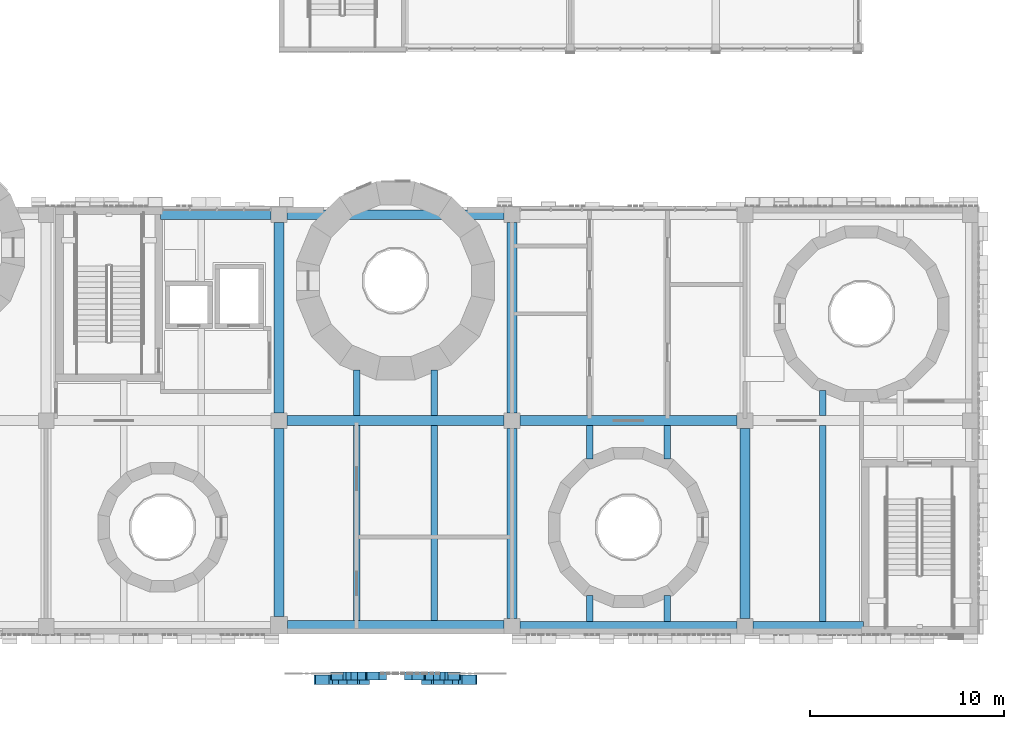
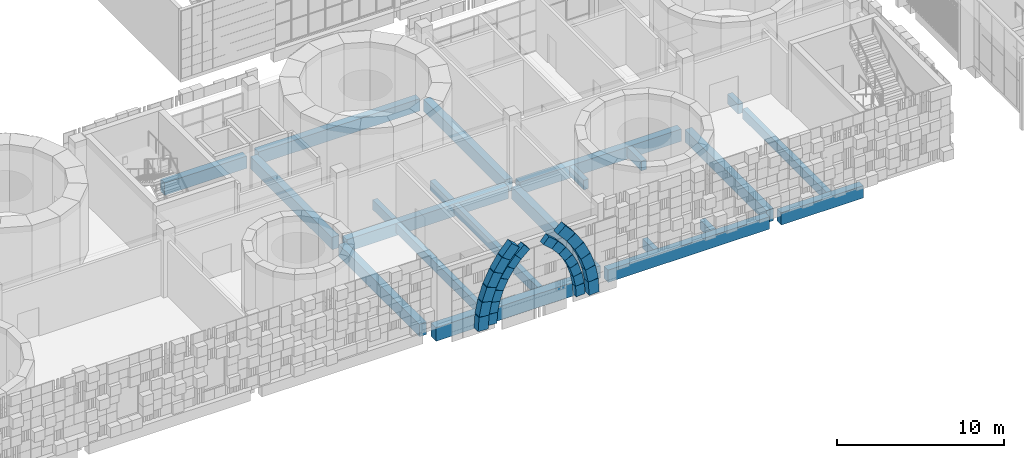
# One storey, part 4 of 125: 26 members, 22 beams.
"""IFC4 building model written with IfcOpenShell, lengths in metres."""

from ifc_helpers import new_model, si_unit, direction, frame, origin, origin_2d, place, context, subcontext, project, spatial, rectangle, extrude, material, material_profile, profile_set, type_object, element, save


model = new_model("IFC4")

# Units and contexts
model_context = context("Model", 3, precision=1e-05, world=origin(), true_north=direction((0.0, 1.0)))
body_context = subcontext(model_context, "Body", "Model", "MODEL_VIEW")
ifc_project = project(units=[si_unit("LENGTHUNIT", "METRE"), si_unit("AREAUNIT", "SQUARE_METRE"), si_unit("VOLUMEUNIT", "CUBIC_METRE"), si_unit("PLANEANGLEUNIT", "RADIAN"), si_unit("MASSUNIT", "GRAM", prefix="KILO")], contexts=[model_context])

# Site, building, storey
site_placement = place(None, origin())
site = spatial("IfcSite", under=ifc_project, at=site_placement, CompositionType="ELEMENT")
building_placement = place(site_placement, origin())
building = spatial("IfcBuilding", under=site, at=building_placement, Name="Sun Court Science Centre", CompositionType="ELEMENT")
storey_placement = place(building_placement, frame((0.0, 0.0, 6.0)))
storey = spatial("IfcBuildingStorey", under=building, at=storey_placement, Name="L01", CompositionType="ELEMENT", Elevation=6.0)

# Members
ifc_material_1 = material(Name="Concrete C30/37", Category="concrete")
ifc_material_profile_1 = material_profile(ifc_material_1, rectangle(XDim=0.39990234375, YDim=0.60009765625, at=origin_2d()), Name="RC 400x600")
ifc_profile_set_1 = profile_set([ifc_material_profile_1], Name="Concrete C30/37")
member_type_1 = type_object("IfcMemberType", Name="Iwan inner arch rib RC 400x600", PredefinedType="MEMBER", material=ifc_profile_set_1)
member_1_placement = place(storey_placement, frame((38.949951171875, 3.85009765625, 0.550048828125), z_axis=(0.065483191019, 0.0, 0.997853672486), x_axis=(0.0, 1.0, 0.0)))
element("IfcMember", 1, at=member_1_placement, inside=storey, type_object=member_type_1, Name="Iwan inner arch rib west", PredefinedType="MEMBER", context=body_context, shape_type="SweptSolid", body=[
    extrude(rectangle(XDim=0.39990234375, YDim=0.60009765625, at=origin_2d()), origin(), (0.0, 0.0, 1.0), 0.7978515625),
])
member_2_placement = place(storey_placement, frame((39.002197265625, 3.85009765625, 1.34619140625), z_axis=(0.19517476307, 0.0, 0.980768480254), x_axis=(0.0, 1.0, 0.0)))
element("IfcMember", 2, at=member_2_placement, inside=storey, type_object=member_type_1, Name="Iwan inner arch rib west", PredefinedType="MEMBER", context=body_context, shape_type="SweptSolid", body=[
    extrude(rectangle(XDim=0.39990234375, YDim=0.60009765625, at=origin_2d()), origin(), (0.0, 0.0, 1.0), 0.798095703125),
])
member_3_placement = place(storey_placement, frame((39.157958984375, 3.85009765625, 2.12890625), z_axis=(0.321364960579, 0.0, 0.946955417172), x_axis=(0.0, 1.0, 0.0)))
element("IfcMember", 3, at=member_3_placement, inside=storey, type_object=member_type_1, Name="Iwan inner arch rib west", PredefinedType="MEMBER", context=body_context, shape_type="SweptSolid", body=[
    extrude(rectangle(XDim=0.39990234375, YDim=0.60009765625, at=origin_2d()), origin(), (0.0, 0.0, 1.0), 0.797607421875),
])
member_4_placement = place(storey_placement, frame((39.414306640625, 3.85009765625, 2.88427734375), z_axis=(0.442312707184, 0.0, 0.896860897277), x_axis=(0.0, 1.0, 0.0)))
element("IfcMember", 4, at=member_4_placement, inside=storey, type_object=member_type_1, Name="Iwan inner arch rib west", PredefinedType="MEMBER", context=body_context, shape_type="SweptSolid", body=[
    extrude(rectangle(XDim=0.39990234375, YDim=0.60009765625, at=origin_2d()), origin(), (0.0, 0.0, 1.0), 0.798095703125),
])
member_5_placement = place(storey_placement, frame((39.767333984375, 3.85009765625, 3.60009765625), z_axis=(0.555476845122, 0.0, 0.831532004516), x_axis=(0.0, 1.0, 0.0)))
element("IfcMember", 5, at=member_5_placement, inside=storey, type_object=member_type_1, Name="Iwan inner arch rib west", PredefinedType="MEMBER", context=body_context, shape_type="SweptSolid", body=[
    extrude(rectangle(XDim=0.39990234375, YDim=0.60009765625, at=origin_2d()), origin(), (0.0, 0.0, 1.0), 0.797607421875),
])
member_6_placement = place(storey_placement, frame((40.21044921875, 3.85009765625, 4.263427734375), z_axis=(0.659392310917, 0.0, 0.751799029198), x_axis=(0.0, 1.0, 0.0)))
element("IfcMember", 6, at=member_6_placement, inside=storey, type_object=member_type_1, Name="Iwan inner arch rib west", PredefinedType="MEMBER", context=body_context, shape_type="SweptSolid", body=[
    extrude(rectangle(XDim=0.39990234375, YDim=0.60009765625, at=origin_2d()), origin(), (0.0, 0.0, 1.0), 0.7978515625),
])
member_7_placement = place(storey_placement, frame((40.736572265625, 3.85009765625, 4.86328125), z_axis=(0.751932023954, 0.0, 0.659240647527), x_axis=(0.0, 1.0, 0.0)))
element("IfcMember", 7, at=member_7_placement, inside=storey, type_object=member_type_1, Name="Iwan inner arch rib west", PredefinedType="MEMBER", context=body_context, shape_type="SweptSolid", body=[
    extrude(rectangle(XDim=0.39990234375, YDim=0.60009765625, at=origin_2d()), origin(), (0.0, 0.0, 1.0), 0.798095703125),
])
member_8_placement = place(storey_placement, frame((45.050048828125, 3.85009765625, 0.550048828125), z_axis=(-0.065483191019, 0.0, 0.997853672486), x_axis=(0.0, -1.0, 0.0)))
element("IfcMember", 8, at=member_8_placement, inside=storey, type_object=member_type_1, Name="Iwan inner arch rib east", PredefinedType="MEMBER", context=body_context, shape_type="SweptSolid", body=[
    extrude(rectangle(XDim=0.39990234375, YDim=0.60009765625, at=origin_2d()), origin(), (0.0, 0.0, 1.0), 0.7978515625),
])
member_9_placement = place(storey_placement, frame((44.997802734375, 3.85009765625, 1.34619140625), z_axis=(-0.19517476307, 0.0, 0.980768480254), x_axis=(0.0, -1.0, 0.0)))
element("IfcMember", 9, at=member_9_placement, inside=storey, type_object=member_type_1, Name="Iwan inner arch rib east", PredefinedType="MEMBER", context=body_context, shape_type="SweptSolid", body=[
    extrude(rectangle(XDim=0.39990234375, YDim=0.60009765625, at=origin_2d()), origin(), (0.0, 0.0, 1.0), 0.798095703125),
])
member_10_placement = place(storey_placement, frame((44.842041015625, 3.85009765625, 2.12890625), z_axis=(-0.321364960579, 0.0, 0.946955417172), x_axis=(0.0, -1.0, 0.0)))
element("IfcMember", 10, at=member_10_placement, inside=storey, type_object=member_type_1, Name="Iwan inner arch rib east", PredefinedType="MEMBER", context=body_context, shape_type="SweptSolid", body=[
    extrude(rectangle(XDim=0.39990234375, YDim=0.60009765625, at=origin_2d()), origin(), (0.0, 0.0, 1.0), 0.797607421875),
])
member_11_placement = place(storey_placement, frame((44.585693359375, 3.85009765625, 2.88427734375), z_axis=(-0.442312707184, 0.0, 0.896860897277), x_axis=(0.0, -1.0, 0.0)))
element("IfcMember", 11, at=member_11_placement, inside=storey, type_object=member_type_1, Name="Iwan inner arch rib east", PredefinedType="MEMBER", context=body_context, shape_type="SweptSolid", body=[
    extrude(rectangle(XDim=0.39990234375, YDim=0.60009765625, at=origin_2d()), origin(), (0.0, 0.0, 1.0), 0.798095703125),
])
member_12_placement = place(storey_placement, frame((44.232666015625, 3.85009765625, 3.60009765625), z_axis=(-0.555476845122, 0.0, 0.831532004516), x_axis=(0.0, -1.0, 0.0)))
element("IfcMember", 12, at=member_12_placement, inside=storey, type_object=member_type_1, Name="Iwan inner arch rib east", PredefinedType="MEMBER", context=body_context, shape_type="SweptSolid", body=[
    extrude(rectangle(XDim=0.39990234375, YDim=0.60009765625, at=origin_2d()), origin(), (0.0, 0.0, 1.0), 0.797607421875),
])
member_13_placement = place(storey_placement, frame((43.78955078125, 3.85009765625, 4.263427734375), z_axis=(-0.659392310917, 0.0, 0.751799029198), x_axis=(0.0, -1.0, 0.0)))
element("IfcMember", 13, at=member_13_placement, inside=storey, type_object=member_type_1, Name="Iwan inner arch rib east", PredefinedType="MEMBER", context=body_context, shape_type="SweptSolid", body=[
    extrude(rectangle(XDim=0.39990234375, YDim=0.60009765625, at=origin_2d()), origin(), (0.0, 0.0, 1.0), 0.7978515625),
])
member_14_placement = place(storey_placement, frame((43.263427734375, 3.85009765625, 4.86328125), z_axis=(-0.751932023954, 0.0, 0.659240647527), x_axis=(0.0, -1.0, 0.0)))
element("IfcMember", 14, at=member_14_placement, inside=storey, type_object=member_type_1, Name="Iwan inner arch rib east", PredefinedType="MEMBER", context=body_context, shape_type="SweptSolid", body=[
    extrude(rectangle(XDim=0.39990234375, YDim=0.60009765625, at=origin_2d()), origin(), (0.0, 0.0, 1.0), 0.798095703125),
])
ifc_material_2 = material(Name="Concrete C30/37", Category="concrete")
ifc_material_profile_2 = material_profile(ifc_material_2, rectangle(XDim=0.5, YDim=0.699951171875, at=origin_2d()), Name="RC 500x700")
ifc_profile_set_2 = profile_set([ifc_material_profile_2], Name="Concrete C30/37")
member_type_2 = type_object("IfcMemberType", Name="Iwan outer arch rib RC 500x700", PredefinedType="MEMBER", material=ifc_profile_set_2)
member_15_placement = place(storey_placement, frame((38.14990234375, 3.64990234375, 0.550048828125), z_axis=(0.065456986342, 0.0, 0.997855391797), x_axis=(0.0, 1.0, 0.0)))
element("IfcMember", 15, at=member_15_placement, inside=storey, type_object=member_type_2, Name="Iwan outer arch rib west", PredefinedType="MEMBER", context=body_context, shape_type="SweptSolid", body=[
    extrude(rectangle(XDim=0.5, YDim=0.699951171875, at=origin_2d()), origin(), (0.0, 0.0, 1.0), 1.007080078125),
])
member_16_placement = place(storey_placement, frame((38.2158203125, 3.64990234375, 1.554931640625), z_axis=(0.195090706489, 0.0, 0.980785203927), x_axis=(0.0, 1.0, 0.0)))
element("IfcMember", 16, at=member_16_placement, inside=storey, type_object=member_type_2, Name="Iwan outer arch rib west", PredefinedType="MEMBER", context=body_context, shape_type="SweptSolid", body=[
    extrude(rectangle(XDim=0.5, YDim=0.699951171875, at=origin_2d()), origin(), (0.0, 0.0, 1.0), 1.00732421875),
])
member_17_placement = place(storey_placement, frame((38.412353515625, 3.64990234375, 2.54296875), z_axis=(0.321459391292, 0.0, 0.946923365299), x_axis=(0.0, 1.0, 0.0)))
element("IfcMember", 17, at=member_17_placement, inside=storey, type_object=member_type_2, Name="Iwan outer arch rib west", PredefinedType="MEMBER", context=body_context, shape_type="SweptSolid", body=[
    extrude(rectangle(XDim=0.5, YDim=0.699951171875, at=origin_2d()), origin(), (0.0, 0.0, 1.0), 1.007080078125),
])
for number, where, z_axis, x_axis, name in (
    (18, (38.736083984375, 3.64990234375, 3.49658203125), (0.442359254103, 0.0, 0.896837939825), (0.0, 1.0, 0.0), "Iwan outer arch rib west"),
    (19, (39.181640625, 3.64990234375, 4.39990234375), (0.555482951146, 0.0, 0.83152792556), (0.0, 1.0, 0.0), "Iwan outer arch rib west"),
):
    element("IfcMember", number, at=place(storey_placement, frame(where, z_axis=z_axis, x_axis=x_axis)), inside=storey, type_object=member_type_2, Name=name, PredefinedType="MEMBER", context=body_context, shape_type="SweptSolid", body=[
        extrude(rectangle(XDim=0.5, YDim=0.699951171875, at=origin_2d()), origin(), (0.0, 0.0, 1.0), 1.00732421875),
    ])
for number, where, z_axis, x_axis, name in (
    (20, (39.7412109375, 3.64990234375, 5.237548828125), (0.659413781447, 0.0, 0.751780197157), (0.0, 1.0, 0.0), "Iwan outer arch rib west"),
    (21, (45.85009765625, 3.64990234375, 0.550048828125), (-0.065456986342, 0.0, 0.997855391797), (0.0, -1.0, 0.0), "Iwan outer arch rib east"),
):
    element("IfcMember", number, at=place(storey_placement, frame(where, z_axis=z_axis, x_axis=x_axis)), inside=storey, type_object=member_type_2, Name=name, PredefinedType="MEMBER", context=body_context, shape_type="SweptSolid", body=[
        extrude(rectangle(XDim=0.5, YDim=0.699951171875, at=origin_2d()), origin(), (0.0, 0.0, 1.0), 1.007080078125),
    ])
member_18_placement = place(storey_placement, frame((45.7841796875, 3.64990234375, 1.554931640625), z_axis=(-0.195090706489, 0.0, 0.980785203927), x_axis=(0.0, -1.0, 0.0)))
element("IfcMember", 22, at=member_18_placement, inside=storey, type_object=member_type_2, Name="Iwan outer arch rib east", PredefinedType="MEMBER", context=body_context, shape_type="SweptSolid", body=[
    extrude(rectangle(XDim=0.5, YDim=0.699951171875, at=origin_2d()), origin(), (0.0, 0.0, 1.0), 1.00732421875),
])
member_19_placement = place(storey_placement, frame((45.587646484375, 3.64990234375, 2.54296875), z_axis=(-0.321459391292, 0.0, 0.946923365299), x_axis=(0.0, -1.0, 0.0)))
element("IfcMember", 23, at=member_19_placement, inside=storey, type_object=member_type_2, Name="Iwan outer arch rib east", PredefinedType="MEMBER", context=body_context, shape_type="SweptSolid", body=[
    extrude(rectangle(XDim=0.5, YDim=0.699951171875, at=origin_2d()), origin(), (0.0, 0.0, 1.0), 1.007080078125),
])
for number, where, z_axis, x_axis, name in (
    (24, (45.263916015625, 3.64990234375, 3.49658203125), (-0.442359254103, 0.0, 0.896837939825), (0.0, -1.0, 0.0), "Iwan outer arch rib east"),
    (25, (44.818359375, 3.64990234375, 4.39990234375), (-0.555482951146, 0.0, 0.83152792556), (0.0, -1.0, 0.0), "Iwan outer arch rib east"),
):
    element("IfcMember", number, at=place(storey_placement, frame(where, z_axis=z_axis, x_axis=x_axis)), inside=storey, type_object=member_type_2, Name=name, PredefinedType="MEMBER", context=body_context, shape_type="SweptSolid", body=[
        extrude(rectangle(XDim=0.5, YDim=0.699951171875, at=origin_2d()), origin(), (0.0, 0.0, 1.0), 1.00732421875),
    ])
member_20_placement = place(storey_placement, frame((44.2587890625, 3.64990234375, 5.237548828125), z_axis=(-0.659413781447, 0.0, 0.751780197157), x_axis=(0.0, -1.0, 0.0)))
element("IfcMember", 26, at=member_20_placement, inside=storey, type_object=member_type_2, Name="Iwan outer arch rib east", PredefinedType="MEMBER", context=body_context, shape_type="SweptSolid", body=[
    extrude(rectangle(XDim=0.5, YDim=0.699951171875, at=origin_2d()), origin(), (0.0, 0.0, 1.0), 1.007080078125),
])

# Beams
ifc_material_3 = material(Name="Concrete C25/30", Category="concrete")
ifc_material_profile_3 = material_profile(ifc_material_3, rectangle(XDim=0.5, YDim=0.89990234375, at=origin_2d()), Name="RC 500x900")
ifc_profile_set_3 = profile_set([ifc_material_profile_3], Name="Concrete C25/30")
beam_type_1 = type_object("IfcBeamType", Name="RC girder 500x900", PredefinedType="BEAM", material=ifc_profile_set_3)
beam_1_placement = place(storey_placement, frame((48.39990234375, 6.39990234375, -0.75), z_axis=(1.0, 0.0, 0.0), x_axis=(0.0, 1.0, 0.0)))
element("IfcBeam", 27, at=beam_1_placement, inside=storey, type_object=beam_type_1, Name="Girder L01 line 1", PredefinedType="BEAM", context=body_context, shape_type="SweptSolid", body=[
    extrude(rectangle(XDim=0.5, YDim=0.89990234375, at=origin_2d()), origin(), (0.0, 0.0, 1.0), 11.2001953125),
])
beam_2_placement = place(storey_placement, frame((60.39990234375, 6.39990234375, -0.75), z_axis=(1.0, 0.0, 0.0), x_axis=(0.0, 1.0, 0.0)))
element("IfcBeam", 28, at=beam_2_placement, inside=storey, type_object=beam_type_1, Name="Girder L01 line 1", PredefinedType="BEAM", context=body_context, shape_type="SweptSolid", body=[
    extrude(rectangle(XDim=0.5, YDim=0.89990234375, at=origin_2d()), origin(), (0.0, 0.0, 1.0), 5.7001953125),
])
for number, where, z_axis, x_axis, name in (
    (29, (36.39990234375, 17.0, -0.75), (1.0, 0.0, 0.0), (0.0, 1.0, 0.0), "Girder L01 line 2"),
    (30, (48.39990234375, 17.0, -0.75), (1.0, 0.0, 0.0), (0.0, 1.0, 0.0), "Girder L01 line 2"),
):
    element("IfcBeam", number, at=place(storey_placement, frame(where, z_axis=z_axis, x_axis=x_axis)), inside=storey, type_object=beam_type_1, Name=name, PredefinedType="BEAM", context=body_context, shape_type="SweptSolid", body=[
        extrude(rectangle(XDim=0.5, YDim=0.89990234375, at=origin_2d()), origin(), (0.0, 0.0, 1.0), 11.2001953125),
    ])
beam_3_placement = place(storey_placement, frame((29.89990234375, 27.60009765625, -0.75), z_axis=(1.0, 0.0, 0.0), x_axis=(0.0, 1.0, 0.0)))
element("IfcBeam", 31, at=beam_3_placement, inside=storey, type_object=beam_type_1, Name="Girder L01 line 3", PredefinedType="BEAM", context=body_context, shape_type="SweptSolid", body=[
    extrude(rectangle(XDim=0.5, YDim=0.89990234375, at=origin_2d()), origin(), (0.0, 0.0, 1.0), 5.7001953125),
])
beam_4_placement = place(storey_placement, frame((36.39990234375, 27.60009765625, -0.75), z_axis=(1.0, 0.0, 0.0), x_axis=(0.0, 1.0, 0.0)))
element("IfcBeam", 32, at=beam_4_placement, inside=storey, type_object=beam_type_1, Name="Girder L01 line 3", PredefinedType="BEAM", context=body_context, shape_type="SweptSolid", body=[
    extrude(rectangle(XDim=0.5, YDim=0.89990234375, at=origin_2d()), origin(), (0.0, 0.0, 1.0), 11.2001953125),
])
beam_5_placement = place(storey_placement, frame((36.0, 6.89990234375, -0.75), z_axis=(0.0, 1.0, 0.0), x_axis=(-1.0, 0.0, 0.0)))
element("IfcBeam", 33, at=beam_5_placement, inside=storey, type_object=beam_type_1, Name="Girder L01 line D", PredefinedType="BEAM", context=body_context, shape_type="SweptSolid", body=[
    extrude(rectangle(XDim=0.5, YDim=0.89990234375, at=origin_2d()), origin(), (0.0, 0.0, 1.0), 9.7001953125),
])
for number, where, z_axis, x_axis, name in (
    (34, (36.0, 17.39990234375, -0.75), (0.0, 1.0, 0.0), (-1.0, 0.0, 0.0), "Girder L01 line D"),
    (35, (48.0, 6.800048828125, -0.75), (0.0, 1.0, 0.0), (-1.0, 0.0, 0.0), "Girder L01 line E"),
    (36, (48.0, 17.39990234375, -0.75), (0.0, 1.0, 0.0), (-1.0, 0.0, 0.0), "Girder L01 line E"),
    (37, (60.0, 6.800048828125, -0.75), (0.0, 1.0, 0.0), (-1.0, 0.0, 0.0), "Girder L01 line F"),
):
    element("IfcBeam", number, at=place(storey_placement, frame(where, z_axis=z_axis, x_axis=x_axis)), inside=storey, type_object=beam_type_1, Name=name, PredefinedType="BEAM", context=body_context, shape_type="SweptSolid", body=[
        extrude(rectangle(XDim=0.5, YDim=0.89990234375, at=origin_2d()), origin(), (0.0, 0.0, 1.0), 9.800048828125),
    ])
ifc_material_4 = material(Name="Concrete C25/30", Category="concrete")
ifc_material_profile_4 = material_profile(ifc_material_4, rectangle(XDim=0.60009765625, YDim=1.0, at=origin_2d()), Name="RC 600x1000")
ifc_profile_set_4 = profile_set([ifc_material_profile_4], Name="Concrete C25/30")
beam_type_2 = type_object("IfcBeamType", Name="RC girder 600x1000", PredefinedType="BEAM", material=ifc_profile_set_4)
beam_6_placement = place(storey_placement, frame((36.449951171875, 6.39990234375, -0.800048828125), z_axis=(1.0, 0.0, 0.0), x_axis=(0.0, 1.0, 0.0)))
element("IfcBeam", 38, at=beam_6_placement, inside=storey, type_object=beam_type_2, Name="Girder L01 line 1", PredefinedType="BEAM", context=body_context, shape_type="SweptSolid", body=[
    extrude(rectangle(XDim=0.60009765625, YDim=1.0, at=origin_2d()), origin(), (0.0, 0.0, 1.0), 11.150146484375),
])
ifc_material_5 = material(Name="Concrete C25/30", Category="concrete")
ifc_material_profile_5 = material_profile(ifc_material_5, rectangle(XDim=0.35009765625, YDim=0.699951171875, at=origin_2d()), Name="RC 350x700")
ifc_profile_set_5 = profile_set([ifc_material_profile_5], Name="Concrete C25/30")
beam_type_3 = type_object("IfcBeamType", Name="RC joist 350x700", PredefinedType="JOIST", material=ifc_profile_set_5)
beam_7_placement = place(storey_placement, frame((40.0, 6.699951171875, -0.64990234375), z_axis=(0.0, 1.0, 0.0), x_axis=(-1.0, 0.0, 0.0)))
element("IfcBeam", 39, at=beam_7_placement, inside=storey, type_object=beam_type_3, Name="Joist L01", PredefinedType="JOIST", context=body_context, shape_type="SweptSolid", body=[
    extrude(rectangle(XDim=0.35009765625, YDim=0.699951171875, at=origin_2d()), origin(), (0.0, 0.0, 1.0), 10.050048828125),
])
beam_8_placement = place(storey_placement, frame((40.0, 17.25, -0.64990234375), z_axis=(0.0, 1.0, 0.0), x_axis=(-1.0, 0.0, 0.0)))
element("IfcBeam", 40, at=beam_8_placement, inside=storey, type_object=beam_type_3, Name="Joist L01", PredefinedType="JOIST", context=body_context, shape_type="SweptSolid", body=[
    extrude(rectangle(XDim=0.35009765625, YDim=0.699951171875, at=origin_2d()), origin(), (0.0, 0.0, 1.0), 2.366455078125),
])
beam_9_placement = place(storey_placement, frame((44.0, 6.699951171875, -0.64990234375), z_axis=(0.0, 1.0, 0.0), x_axis=(-1.0, 0.0, 0.0)))
element("IfcBeam", 41, at=beam_9_placement, inside=storey, type_object=beam_type_3, Name="Joist L01", PredefinedType="JOIST", context=body_context, shape_type="SweptSolid", body=[
    extrude(rectangle(XDim=0.35009765625, YDim=0.699951171875, at=origin_2d()), origin(), (0.0, 0.0, 1.0), 10.050048828125),
])
beam_10_placement = place(storey_placement, frame((44.0, 17.25, -0.64990234375), z_axis=(0.0, 1.0, 0.0), x_axis=(-1.0, 0.0, 0.0)))
element("IfcBeam", 42, at=beam_10_placement, inside=storey, type_object=beam_type_3, Name="Joist L01", PredefinedType="JOIST", context=body_context, shape_type="SweptSolid", body=[
    extrude(rectangle(XDim=0.35009765625, YDim=0.699951171875, at=origin_2d()), origin(), (0.0, 0.0, 1.0), 2.366455078125),
])
beam_11_placement = place(storey_placement, frame((52.0, 6.64990234375, -0.64990234375), z_axis=(0.0, 1.0, 0.0), x_axis=(-1.0, 0.0, 0.0)))
element("IfcBeam", 43, at=beam_11_placement, inside=storey, type_object=beam_type_3, Name="Joist L01", PredefinedType="JOIST", context=body_context, shape_type="SweptSolid", body=[
    extrude(rectangle(XDim=0.35009765625, YDim=0.699951171875, at=origin_2d()), origin(), (0.0, 0.0, 1.0), 1.328125),
])
beam_12_placement = place(storey_placement, frame((52.0, 15.02197265625, -0.64990234375), z_axis=(0.0, 1.0, 0.0), x_axis=(-1.0, 0.0, 0.0)))
element("IfcBeam", 44, at=beam_12_placement, inside=storey, type_object=beam_type_3, Name="Joist L01", PredefinedType="JOIST", context=body_context, shape_type="SweptSolid", body=[
    extrude(rectangle(XDim=0.35009765625, YDim=0.699951171875, at=origin_2d()), origin(), (0.0, 0.0, 1.0), 1.72802734375),
])
beam_13_placement = place(storey_placement, frame((56.0, 6.64990234375, -0.64990234375), z_axis=(0.0, 1.0, 0.0), x_axis=(-1.0, 0.0, 0.0)))
element("IfcBeam", 45, at=beam_13_placement, inside=storey, type_object=beam_type_3, Name="Joist L01", PredefinedType="JOIST", context=body_context, shape_type="SweptSolid", body=[
    extrude(rectangle(XDim=0.35009765625, YDim=0.699951171875, at=origin_2d()), origin(), (0.0, 0.0, 1.0), 1.328125),
])
beam_14_placement = place(storey_placement, frame((56.0, 15.02197265625, -0.64990234375), z_axis=(0.0, 1.0, 0.0), x_axis=(-1.0, 0.0, 0.0)))
element("IfcBeam", 46, at=beam_14_placement, inside=storey, type_object=beam_type_3, Name="Joist L01", PredefinedType="JOIST", context=body_context, shape_type="SweptSolid", body=[
    extrude(rectangle(XDim=0.35009765625, YDim=0.699951171875, at=origin_2d()), origin(), (0.0, 0.0, 1.0), 1.72802734375),
])
beam_15_placement = place(storey_placement, frame((64.0, 6.64990234375, -0.64990234375), z_axis=(0.0, 1.0, 0.0), x_axis=(-1.0, 0.0, 0.0)))
element("IfcBeam", 47, at=beam_15_placement, inside=storey, type_object=beam_type_3, Name="Joist L01", PredefinedType="JOIST", context=body_context, shape_type="SweptSolid", body=[
    extrude(rectangle(XDim=0.35009765625, YDim=0.699951171875, at=origin_2d()), origin(), (0.0, 0.0, 1.0), 10.10009765625),
])
beam_16_placement = place(storey_placement, frame((64.0, 17.25, -0.64990234375), z_axis=(0.0, 1.0, 0.0), x_axis=(-1.0, 0.0, 0.0)))
element("IfcBeam", 48, at=beam_16_placement, inside=storey, type_object=beam_type_3, Name="Joist L01", PredefinedType="JOIST", context=body_context, shape_type="SweptSolid", body=[
    extrude(rectangle(XDim=0.35009765625, YDim=0.699951171875, at=origin_2d()), origin(), (0.0, 0.0, 1.0), 1.30322265625),
])

save(model, "model.ifc")
